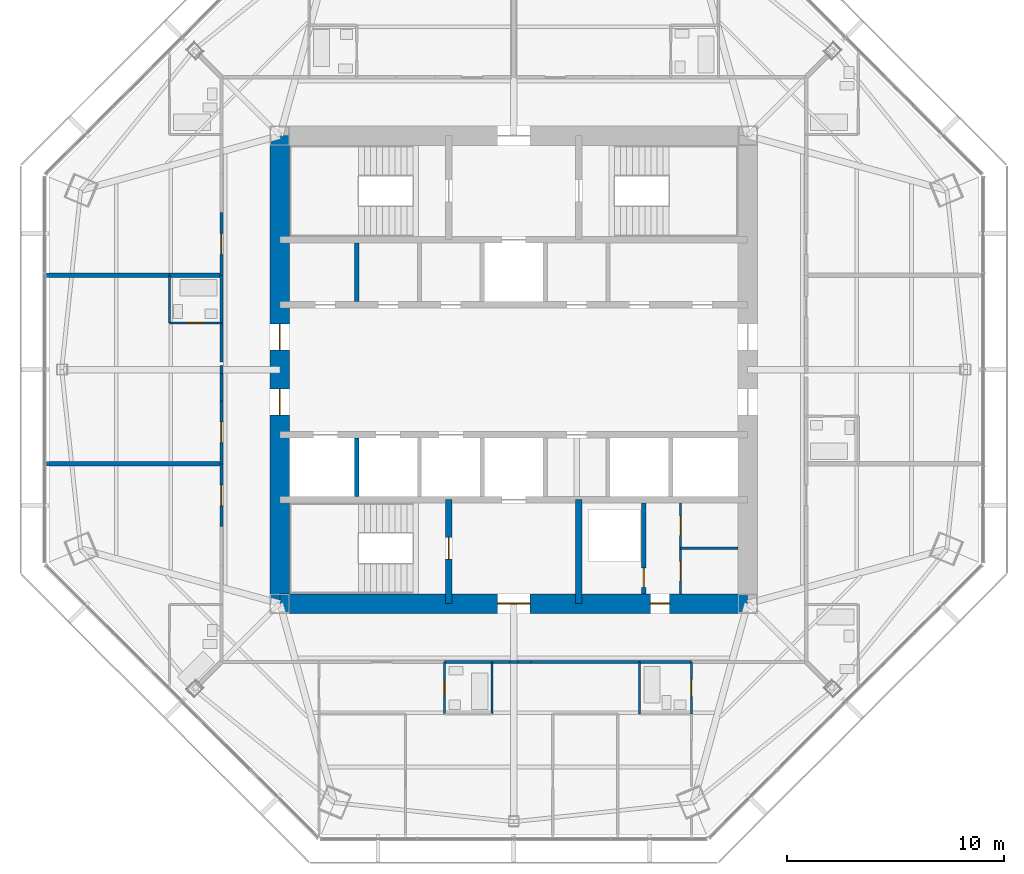
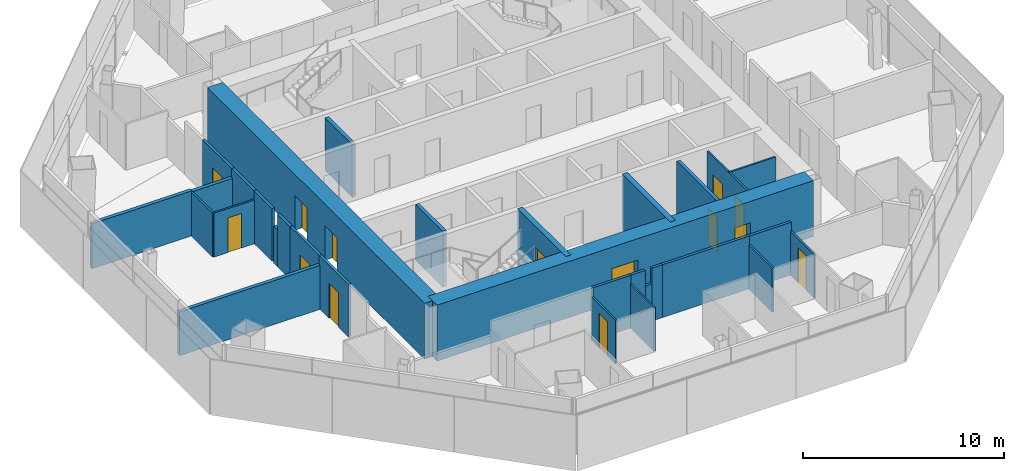
# One storey, part 9 of 15: 31 walls, 14 doors, 14 openings.
"""IFC4 building model written with IfcOpenShell, lengths in metres."""

from ifc_helpers import new_model, si_unit, direction, frame, frame_2d, origin, place, context, subcontext, project, spatial, rectangle, extrude, material, layer, layer_set, type_object, element, fill, save


model = new_model("IFC4")

# Units and contexts
model_context = context("Model", 3, precision=1e-05, world=origin(), true_north=direction((0.0, 1.0)))
body_context = subcontext(model_context, "Body", "Model", "MODEL_VIEW")
ifc_project = project(units=[si_unit("LENGTHUNIT", "METRE"), si_unit("AREAUNIT", "SQUARE_METRE"), si_unit("VOLUMEUNIT", "CUBIC_METRE"), si_unit("PLANEANGLEUNIT", "RADIAN"), si_unit("MASSUNIT", "GRAM", prefix="KILO")], contexts=[model_context])

# Site, building, storey
site_placement = place(None, origin())
site = spatial("IfcSite", under=ifc_project, at=site_placement, CompositionType="ELEMENT")
building_placement = place(site_placement, origin())
building = spatial("IfcBuilding", under=site, at=building_placement, Name="Mashrafa Tower", CompositionType="ELEMENT")
storey_placement = place(building_placement, frame((0.0, 0.0, 224.39990234375)))
storey = spatial("IfcBuildingStorey", under=building, at=storey_placement, Name="L52", CompositionType="ELEMENT", Elevation=224.39990234375)

# Walls
ifc_material_1 = material(Name="Gypsum board on steel studs", Category="steel")
ifc_layer_1 = layer(ifc_material_1, 0.199951171875)
ifc_layer_set_1 = layer_set([ifc_layer_1], Name="Acoustic partition 200 1 hr")
wall_type_1 = type_object("IfcWallType", Name="Acoustic partition 200 1 hr", PredefinedType="PARTITIONING", material=ifc_layer_set_1)
wall_1_placement = place(storey_placement, frame((-15.90087890625, 4.35009765625, 0.0), z_axis=(0.0, 0.0, 1.0), x_axis=(1.0, 0.0, 0.0)))
element("IfcWall", 1, at=wall_1_placement, inside=storey, type_object=wall_type_1, Name="Acoustic wall L52-069", PredefinedType="PARTITIONING", context=body_context, shape_type="SweptSolid", body=[
    extrude(rectangle(XDim=2.40087890625, YDim=0.199951171875, at=frame_2d((1.200439453125, 0.0))), origin(), (0.0, 0.0, 1.0), 2.664306640625),
])
wall_2_placement = place(storey_placement, frame((-21.648681640625, 4.35009765625, 0.0), z_axis=(0.0, 0.0, 1.0), x_axis=(1.0, 0.0, 0.0)))
element("IfcWall", 2, at=wall_2_placement, inside=storey, type_object=wall_type_1, Name="Acoustic wall L52-070", PredefinedType="PARTITIONING", context=body_context, shape_type="SweptSolid", body=[
    extrude(rectangle(XDim=5.749755859375, YDim=0.199951171875, at=frame_2d((2.875, 0.0))), origin(), (0.0, 0.0, 1.0), 2.73046875),
])
wall_3_placement = place(storey_placement, frame((-21.648681640625, -4.35009765625, 0.0), z_axis=(0.0, 0.0, 1.0), x_axis=(1.0, 0.0, 0.0)))
element("IfcWall", 3, at=wall_3_placement, inside=storey, type_object=wall_type_1, Name="Acoustic wall L52-073", PredefinedType="PARTITIONING", context=body_context, shape_type="SweptSolid", body=[
    extrude(rectangle(XDim=8.148681640625, YDim=0.199951171875, at=frame_2d((4.07421875, 0.0))), origin(), (0.0, 0.0, 1.0), 2.664306640625),
])

# Wall, opening, door
ifc_material_2 = material(Name="Concrete masonry unit", Category="masonry")
ifc_layer_2 = layer(ifc_material_2, 0.199951171875)
ifc_layer_set_2 = layer_set([ifc_layer_2], Name="Blockwork wall 200 2 hr")
wall_type_2 = type_object("IfcWallType", Name="Blockwork wall 200 2 hr", PredefinedType="PARTITIONING", material=ifc_layer_set_2)
wall_4_placement = place(storey_placement, frame((6.0, -10.35009765625, 0.0), z_axis=(0.0, 0.0, 1.0), x_axis=(0.0, 1.0, 0.0)))
wall_4 = element("IfcWall", 4, at=wall_4_placement, inside=storey, type_object=wall_type_2, Name="Riser enclosure wall L52", PredefinedType="PARTITIONING", context=body_context, shape_type="SweptSolid", body=[
    extrude(rectangle(XDim=4.2001953125, YDim=0.199951171875, at=frame_2d((2.10009765625, 0.0))), origin(), (0.0, 0.0, 1.0), 3.2001953125),
])
opening_1_placement = place(wall_4_placement, frame((0.300048828125, 0.0, 0.0)))
opening_1 = element("IfcOpeningElement", 5, at=opening_1_placement, cuts=wall_4, Name="Opening 52.036", PredefinedType="OPENING", context=body_context, shape_type="SweptSolid", body=[
    extrude(rectangle(XDim=0.89990234375, YDim=2.10009765625, at=frame_2d((0.449951171875, 1.050048828125))), frame((0.0, 0.10986328125, 0.0), z_axis=(0.0, -1.0, 0.0), x_axis=(1.0, 0.0, 0.0)), (0.0, 0.0, 1.0), 0.219970703125),
])
ifc_material_3 = material(Name="Steel door", Category="steel")
door_type_1 = type_object("IfcDoorType", Name="Service door 900 x 2100 90 min", OperationType="USERDEFINED", PredefinedType="DOOR", material=ifc_material_3)
door_1_placement = place(opening_1_placement, origin())
door_1 = element("IfcDoor", 6, at=door_1_placement, inside=storey, type_object=door_type_1, Name="Riser door L52", OperationType="SINGLE_SWING_LEFT", OverallHeight=2.10009765625, OverallWidth=0.89990234375, PredefinedType="DOOR", context=body_context, shape_type="SweptSolid", body=[
    extrude(rectangle(XDim=0.89990234375, YDim=2.10009765625, at=frame_2d((0.449951171875, 1.050048828125))), frame((0.0, 0.02490234375, 0.0), z_axis=(0.0, -1.0, 0.0), x_axis=(1.0, 0.0, 0.0)), (0.0, 0.0, 1.0), 0.050048828125),
])
fill(opening_1, door_1)

ifc_material_4 = material(Name="Concrete C50/60", Category="concrete")
ifc_layer_3 = layer(ifc_material_4, 0.300048828125)
ifc_layer_set_3 = layer_set([ifc_layer_3], Name="Core wall 300 C50/60")
wall_type_3 = type_object("IfcWallType", Name="Core wall 300 C50/60", PredefinedType="SOLIDWALL", material=ifc_layer_set_3)
wall_5_placement = place(storey_placement, frame((-3.0, -6.0, 0.0), z_axis=(0.0, 0.0, 1.0), x_axis=(0.0, -1.0, 0.0)))
wall_5 = element("IfcWall", 7, at=wall_5_placement, inside=storey, type_object=wall_type_3, Name="Core wall CX-SW L52", PredefinedType="SOLIDWALL", context=body_context, shape_type="SweptSolid", body=[
    extrude(rectangle(XDim=4.800048828125, YDim=0.300048828125, at=frame_2d((2.39990234375, 0.0))), origin(), (0.0, 0.0, 1.0), 3.400146484375),
])
opening_2_placement = place(wall_5_placement, frame((1.75, 0.0, 0.0)))
opening_2 = element("IfcOpeningElement", 8, at=opening_2_placement, cuts=wall_5, Name="Opening 52.034", PredefinedType="OPENING", context=body_context, shape_type="SweptSolid", body=[
    extrude(rectangle(XDim=1.0, YDim=2.10009765625, at=frame_2d((0.5, 1.050048828125))), frame((0.0, 0.159912109375, 0.0), z_axis=(0.0, -1.0, 0.0), x_axis=(1.0, 0.0, 0.0)), (0.0, 0.0, 1.0), 0.320068359375),
])
ifc_material_5 = material(Name="Steel door", Category="steel")
door_type_2 = type_object("IfcDoorType", Name="Stair door 1000 x 2100 90 min", OperationType="USERDEFINED", PredefinedType="DOOR", material=ifc_material_5)
door_2_placement = place(opening_2_placement, frame((1.0, 0.0, 0.0), z_axis=(0.0, 0.0, 1.0), x_axis=(-1.0, 0.0, 0.0)))
door_2 = element("IfcDoor", 9, at=door_2_placement, inside=storey, type_object=door_type_2, Name="Stair S3 door L52", OperationType="SINGLE_SWING_RIGHT", OverallHeight=2.10009765625, OverallWidth=1.0, PredefinedType="DOOR", context=body_context, shape_type="SweptSolid", body=[
    extrude(rectangle(XDim=1.0, YDim=2.10009765625, at=frame_2d((0.5, 1.050048828125))), frame((0.0, 0.02490234375, 0.0), z_axis=(0.0, -1.0, 0.0), x_axis=(1.0, 0.0, 0.0)), (0.0, 0.0, 1.0), 0.050048828125),
])
fill(opening_2, door_2)

# Wall
wall_6_placement = place(storey_placement, frame((3.0, -6.0, 0.0), z_axis=(0.0, 0.0, 1.0), x_axis=(0.0, -1.0, 0.0)))
element("IfcWall", 10, at=wall_6_placement, inside=storey, type_object=wall_type_3, Name="Core wall CX-SE L52", PredefinedType="SOLIDWALL", context=body_context, shape_type="SweptSolid", body=[
    extrude(rectangle(XDim=4.800048828125, YDim=0.300048828125, at=frame_2d((2.39990234375, 0.0))), origin(), (0.0, 0.0, 1.0), 3.400146484375),
])

# Wall, openings, doors
ifc_material_6 = material(Name="Concrete C50/60", Category="concrete")
ifc_layer_4 = layer(ifc_material_6, 0.89990234375)
ifc_layer_set_4 = layer_set([ifc_layer_4], Name="Core wall 900 C50/60")
wall_type_4 = type_object("IfcWallType", Name="Core wall 900 C50/60", PredefinedType="SOLIDWALL", material=ifc_layer_set_4)
wall_7_placement = place(storey_placement, frame((-10.800048828125, -10.800048828125, 0.0), z_axis=(0.0, 0.0, 1.0), x_axis=(1.0, 0.0, 0.0)))
wall_7 = element("IfcWall", 11, at=wall_7_placement, inside=storey, type_object=wall_type_4, Name="Core wall CW-S L52", PredefinedType="SOLIDWALL", context=body_context, shape_type="SweptSolid", body=[
    extrude(rectangle(XDim=21.60009765625, YDim=0.89990234375, at=frame_2d((10.800048828125, 0.0))), origin(), (0.0, 0.0, 1.0), 3.400146484375),
])
opening_3_placement = place(wall_7_placement, frame((10.050048828125, 0.0, 0.0)))
opening_3 = element("IfcOpeningElement", 12, at=opening_3_placement, cuts=wall_7, Name="Opening 52.031", PredefinedType="OPENING", context=body_context, shape_type="SweptSolid", body=[
    extrude(rectangle(XDim=1.5, YDim=2.10009765625, at=frame_2d((0.75, 1.050048828125))), frame((0.0, 0.4599609375, 0.0), z_axis=(0.0, -1.0, 0.0), x_axis=(1.0, 0.0, 0.0)), (0.0, 0.0, 1.0), 0.919921875),
])
opening_4_placement = place(wall_7_placement, frame((17.10009765625, 0.0, 0.0)))
opening_4 = element("IfcOpeningElement", 13, at=opening_4_placement, cuts=wall_7, Name="Opening 52.035", PredefinedType="OPENING", context=body_context, shape_type="SweptSolid", body=[
    extrude(rectangle(XDim=0.89990234375, YDim=2.10009765625, at=frame_2d((0.449951171875, 1.050048828125))), frame((0.0, 0.4599609375, 0.0), z_axis=(0.0, -1.0, 0.0), x_axis=(1.0, 0.0, 0.0)), (0.0, 0.0, 1.0), 0.919921875),
])
ifc_material_7 = material(Name="Steel door", Category="steel")
door_type_3 = type_object("IfcDoorType", Name="Lobby door pair 1500 x 2100 90 min", OperationType="DOUBLE_DOOR_SINGLE_SWING", PredefinedType="DOOR", material=ifc_material_7)
door_3_placement = place(opening_3_placement, origin())
door_3 = element("IfcDoor", 14, at=door_3_placement, inside=storey, type_object=door_type_3, Name="Fire-fighting lobby F2 door L52", OperationType="DOUBLE_DOOR_SINGLE_SWING", OverallHeight=2.10009765625, OverallWidth=1.5, PredefinedType="DOOR", context=body_context, shape_type="SweptSolid", body=[
    extrude(rectangle(XDim=1.5, YDim=2.10009765625, at=frame_2d((0.75, 1.050048828125))), frame((0.0, 0.02490234375, 0.0), z_axis=(0.0, -1.0, 0.0), x_axis=(1.0, 0.0, 0.0)), (0.0, 0.0, 1.0), 0.050048828125),
])
fill(opening_3, door_3)
door_4_placement = place(opening_4_placement, frame((0.89990234375, 0.0, 0.0), z_axis=(0.0, 0.0, 1.0), x_axis=(-1.0, 0.0, 0.0)))
door_4 = element("IfcDoor", 15, at=door_4_placement, inside=storey, type_object=door_type_1, Name="Services Lobby L52 door", OperationType="SINGLE_SWING_LEFT", OverallHeight=2.10009765625, OverallWidth=0.89990234375, PredefinedType="DOOR", context=body_context, shape_type="SweptSolid", body=[
    extrude(rectangle(XDim=0.89990234375, YDim=2.10009765625, at=frame_2d((0.449951171875, 1.050048828125))), frame((0.0, 0.02490234375, 0.0), z_axis=(0.0, -1.0, 0.0), x_axis=(1.0, 0.0, 0.0)), (0.0, 0.0, 1.0), 0.050048828125),
])
fill(opening_4, door_4)

wall_8_placement = place(storey_placement, frame((-10.800048828125, 10.800048828125, 0.0), z_axis=(0.0, 0.0, 1.0), x_axis=(0.0, -1.0, 0.0)))
wall_8 = element("IfcWall", 16, at=wall_8_placement, inside=storey, type_object=wall_type_4, Name="Core wall CW-W L52", PredefinedType="SOLIDWALL", context=body_context, shape_type="SweptSolid", body=[
    extrude(rectangle(XDim=21.60009765625, YDim=0.89990234375, at=frame_2d((10.800048828125, 0.0))), origin(), (0.0, 0.0, 1.0), 3.400146484375),
])
opening_5_placement = place(wall_8_placement, frame((8.699951171875, 0.0, 0.0)))
opening_5 = element("IfcOpeningElement", 17, at=opening_5_placement, cuts=wall_8, Name="Opening 52.027", PredefinedType="OPENING", context=body_context, shape_type="SweptSolid", body=[
    extrude(rectangle(XDim=1.199951171875, YDim=2.10009765625, at=frame_2d((0.60009765625, 1.050048828125))), frame((0.0, 0.4599609375, 0.0), z_axis=(0.0, -1.0, 0.0), x_axis=(1.0, 0.0, 0.0)), (0.0, 0.0, 1.0), 0.919921875),
])
opening_6_placement = place(wall_8_placement, frame((11.699951171875, 0.0, 0.0)))
opening_6 = element("IfcOpeningElement", 18, at=opening_6_placement, cuts=wall_8, Name="Opening 52.029", PredefinedType="OPENING", context=body_context, shape_type="SweptSolid", body=[
    extrude(rectangle(XDim=1.199951171875, YDim=2.10009765625, at=frame_2d((0.60009765625, 1.050048828125))), frame((0.0, 0.4599609375, 0.0), z_axis=(0.0, -1.0, 0.0), x_axis=(1.0, 0.0, 0.0)), (0.0, 0.0, 1.0), 0.919921875),
])
ifc_material_8 = material(Name="Steel door", Category="steel")
door_type_4 = type_object("IfcDoorType", Name="Lift hall door 1200 x 2100 90 min", OperationType="USERDEFINED", PredefinedType="DOOR", material=ifc_material_8)
door_5_placement = place(opening_5_placement, frame((1.199951171875, 0.0, 0.0), z_axis=(0.0, 0.0, 1.0), x_axis=(-1.0, 0.0, 0.0)))
door_5 = element("IfcDoor", 19, at=door_5_placement, inside=storey, type_object=door_type_4, Name="Lift hall door west L52", OperationType="SINGLE_SWING_RIGHT", OverallHeight=2.10009765625, OverallWidth=1.199951171875, PredefinedType="DOOR", context=body_context, shape_type="SweptSolid", body=[
    extrude(rectangle(XDim=1.199951171875, YDim=2.10009765625, at=frame_2d((0.60009765625, 1.050048828125))), frame((0.0, 0.02490234375, 0.0), z_axis=(0.0, -1.0, 0.0), x_axis=(1.0, 0.0, 0.0)), (0.0, 0.0, 1.0), 0.050048828125),
])
fill(opening_5, door_5)
door_6_placement = place(opening_6_placement, frame((1.199951171875, 0.0, 0.0), z_axis=(0.0, 0.0, 1.0), x_axis=(-1.0, 0.0, 0.0)))
door_6 = element("IfcDoor", 20, at=door_6_placement, inside=storey, type_object=door_type_4, Name="Lift hall door west L52", OperationType="SINGLE_SWING_LEFT", OverallHeight=2.10009765625, OverallWidth=1.199951171875, PredefinedType="DOOR", context=body_context, shape_type="SweptSolid", body=[
    extrude(rectangle(XDim=1.199951171875, YDim=2.10009765625, at=frame_2d((0.60009765625, 1.050048828125))), frame((0.0, 0.02490234375, 0.0), z_axis=(0.0, -1.0, 0.0), x_axis=(1.0, 0.0, 0.0)), (0.0, 0.0, 1.0), 0.050048828125),
])
fill(opening_6, door_6)

# Wall, opening, door
ifc_material_9 = material(Name="Gypsum board on steel studs", Category="steel")
ifc_layer_5 = layer(ifc_material_9, 0.14990234375)
ifc_layer_set_5 = layer_set([ifc_layer_5], Name="Corridor partition 150 1 hr")
wall_type_5 = type_object("IfcWallType", Name="Corridor partition 150 1 hr", PredefinedType="PARTITIONING", material=ifc_layer_set_5)
wall_9_placement = place(storey_placement, frame((-13.5, 7.2509765625, 0.0), z_axis=(0.0, 0.0, 1.0), x_axis=(0.0, -1.0, 0.0)))
wall_9 = element("IfcWall", 21, at=wall_9_placement, inside=storey, type_object=wall_type_5, Name="Corridor wall L52-026", PredefinedType="PARTITIONING", context=body_context, shape_type="SweptSolid", body=[
    extrude(rectangle(XDim=2.90185546875, YDim=0.14990234375, at=frame_2d((1.450927734375, 0.0))), origin(), (0.0, 0.0, 1.0), 3.2001953125),
])
opening_7_placement = place(wall_9_placement, frame((0.97607421875, 0.0, 0.0)))
opening_7 = element("IfcOpeningElement", 22, at=opening_7_placement, cuts=wall_9, Name="Opening 52.014", PredefinedType="OPENING", context=body_context, shape_type="SweptSolid", body=[
    extrude(rectangle(XDim=0.949951171875, YDim=2.10009765625, at=frame_2d((0.47509765625, 1.050048828125))), frame((0.0, 0.0849609375, 0.0), z_axis=(0.0, -1.0, 0.0), x_axis=(1.0, 0.0, 0.0)), (0.0, 0.0, 1.0), 0.169921875),
])
ifc_material_10 = material(Name="Steel door", Category="steel")
door_type_5 = type_object("IfcDoorType", Name="Residence entrance door 950 x 2100 20 min", OperationType="USERDEFINED", PredefinedType="DOOR", material=ifc_material_10)
door_7_placement = place(opening_7_placement, frame((0.949951171875, 0.0, 0.0), z_axis=(0.0, 0.0, 1.0), x_axis=(-1.0, 0.0, 0.0)))
door_7 = element("IfcDoor", 23, at=door_7_placement, inside=storey, type_object=door_type_5, Name="Apartment 5206 Studio Living Room door", OperationType="SINGLE_SWING_LEFT", OverallHeight=2.10009765625, OverallWidth=0.949951171875, PredefinedType="DOOR", context=body_context, shape_type="SweptSolid", body=[
    extrude(rectangle(XDim=0.949951171875, YDim=2.10009765625, at=frame_2d((0.47509765625, 1.050048828125))), frame((0.0, 0.02490234375, 0.0), z_axis=(0.0, -1.0, 0.0), x_axis=(1.0, 0.0, 0.0)), (0.0, 0.0, 1.0), 0.050048828125),
])
fill(opening_7, door_7)

# Walls
wall_10_placement = place(storey_placement, frame((-13.5, 4.35107421875, 0.0), z_axis=(0.0, 0.0, 1.0), x_axis=(0.0, -1.0, 0.0)))
element("IfcWall", 24, at=wall_10_placement, inside=storey, type_object=wall_type_5, Name="Corridor wall L52-028", PredefinedType="PARTITIONING", context=body_context, shape_type="SweptSolid", body=[
    extrude(rectangle(XDim=2.2021484375, YDim=0.14990234375, at=frame_2d((1.10107421875, 0.0))), origin(), (0.0, 0.0, 1.0), 3.2001953125),
])
wall_11_placement = place(storey_placement, frame((-13.5, -0.18359375, 0.0), z_axis=(0.0, 0.0, 1.0), x_axis=(0.0, -1.0, 0.0)))
element("IfcWall", 25, at=wall_11_placement, inside=storey, type_object=wall_type_5, Name="Corridor wall L52-029", PredefinedType="PARTITIONING", context=body_context, shape_type="SweptSolid", body=[
    extrude(rectangle(XDim=1.267333984375, YDim=0.14990234375, at=frame_2d((0.6337890625, 0.0))), origin(), (0.0, 0.0, 1.0), 3.2001953125),
])
wall_12_placement = place(storey_placement, frame((-13.5, 0.18359375, 0.0), z_axis=(0.0, 0.0, 1.0), x_axis=(0.0, -1.0, 0.0)))
element("IfcWall", 26, at=wall_12_placement, inside=storey, type_object=wall_type_5, Name="Corridor wall L52-030", PredefinedType="PARTITIONING", context=body_context, shape_type="SweptSolid", body=[
    extrude(rectangle(XDim=0.3671875, YDim=0.14990234375, at=frame_2d((0.18359375, 0.0))), origin(), (0.0, 0.0, 1.0), 2.2529296875),
])

# Wall, opening, door
wall_13_placement = place(storey_placement, frame((-13.5, -1.448974609375, 0.0), z_axis=(0.0, 0.0, 1.0), x_axis=(0.0, -1.0, 0.0)))
wall_13 = element("IfcWall", 27, at=wall_13_placement, inside=storey, type_object=wall_type_5, Name="Corridor wall L52-031", PredefinedType="PARTITIONING", context=body_context, shape_type="SweptSolid", body=[
    extrude(rectangle(XDim=2.902099609375, YDim=0.14990234375, at=frame_2d((1.451171875, 0.0))), origin(), (0.0, 0.0, 1.0), 3.2001953125),
])
opening_8_placement = place(wall_13_placement, frame((0.97607421875, 0.0, 0.0)))
opening_8 = element("IfcOpeningElement", 28, at=opening_8_placement, cuts=wall_13, Name="Opening 52.016", PredefinedType="OPENING", context=body_context, shape_type="SweptSolid", body=[
    extrude(rectangle(XDim=0.949951171875, YDim=2.10009765625, at=frame_2d((0.47509765625, 1.050048828125))), frame((0.0, 0.0849609375, 0.0), z_axis=(0.0, -1.0, 0.0), x_axis=(1.0, 0.0, 0.0)), (0.0, 0.0, 1.0), 0.169921875),
])
door_8_placement = place(opening_8_placement, frame((0.949951171875, 0.0, 0.0), z_axis=(0.0, 0.0, 1.0), x_axis=(-1.0, 0.0, 0.0)))
door_8 = element("IfcDoor", 29, at=door_8_placement, inside=storey, type_object=door_type_5, Name="Apartment 5207 Studio Living Room door", OperationType="SINGLE_SWING_LEFT", OverallHeight=2.10009765625, OverallWidth=0.949951171875, PredefinedType="DOOR", context=body_context, shape_type="SweptSolid", body=[
    extrude(rectangle(XDim=0.949951171875, YDim=2.10009765625, at=frame_2d((0.47509765625, 1.050048828125))), frame((0.0, 0.02490234375, 0.0), z_axis=(0.0, -1.0, 0.0), x_axis=(1.0, 0.0, 0.0)), (0.0, 0.0, 1.0), 0.050048828125),
])
fill(opening_8, door_8)

# Wall
wall_14_placement = place(storey_placement, frame((-13.5, 2.15087890625, 0.0), z_axis=(0.0, 0.0, 1.0), x_axis=(0.0, -1.0, 0.0)))
element("IfcWall", 30, at=wall_14_placement, inside=storey, type_object=wall_type_5, Name="Corridor wall L52-032", PredefinedType="PARTITIONING", context=body_context, shape_type="SweptSolid", body=[
    extrude(rectangle(XDim=1.8017578125, YDim=0.14990234375, at=frame_2d((0.90087890625, 0.0))), origin(), (0.0, 0.0, 1.0), 3.2001953125),
])

# Wall, opening, door
wall_15_placement = place(storey_placement, frame((-13.5, -4.34912109375, 0.0), z_axis=(0.0, 0.0, 1.0), x_axis=(0.0, -1.0, 0.0)))
wall_15 = element("IfcWall", 31, at=wall_15_placement, inside=storey, type_object=wall_type_5, Name="Corridor wall L52-036", PredefinedType="PARTITIONING", context=body_context, shape_type="SweptSolid", body=[
    extrude(rectangle(XDim=2.90185546875, YDim=0.14990234375, at=frame_2d((1.450927734375, 0.0))), origin(), (0.0, 0.0, 1.0), 3.2001953125),
])
opening_9_placement = place(wall_15_placement, frame((0.97607421875, 0.0, 0.0)))
opening_9 = element("IfcOpeningElement", 32, at=opening_9_placement, cuts=wall_15, Name="Opening 52.018", PredefinedType="OPENING", context=body_context, shape_type="SweptSolid", body=[
    extrude(rectangle(XDim=0.949951171875, YDim=2.10009765625, at=frame_2d((0.47509765625, 1.050048828125))), frame((0.0, 0.0849609375, 0.0), z_axis=(0.0, -1.0, 0.0), x_axis=(1.0, 0.0, 0.0)), (0.0, 0.0, 1.0), 0.169921875),
])
door_9_placement = place(opening_9_placement, frame((0.949951171875, 0.0, 0.0), z_axis=(0.0, 0.0, 1.0), x_axis=(-1.0, 0.0, 0.0)))
door_9 = element("IfcDoor", 33, at=door_9_placement, inside=storey, type_object=door_type_5, Name="Apartment 5208 Studio Living Room door", OperationType="SINGLE_SWING_RIGHT", OverallHeight=2.10009765625, OverallWidth=0.949951171875, PredefinedType="DOOR", context=body_context, shape_type="SweptSolid", body=[
    extrude(rectangle(XDim=0.949951171875, YDim=2.10009765625, at=frame_2d((0.47509765625, 1.050048828125))), frame((0.0, 0.02490234375, 0.0), z_axis=(0.0, -1.0, 0.0), x_axis=(1.0, 0.0, 0.0)), (0.0, 0.0, 1.0), 0.050048828125),
])
fill(opening_9, door_9)

# Walls
wall_16_placement = place(storey_placement, frame((-3.200927734375, -13.5, 0.0), z_axis=(0.0, 0.0, 1.0), x_axis=(1.0, 0.0, 0.0)))
element("IfcWall", 34, at=wall_16_placement, inside=storey, type_object=wall_type_5, Name="Corridor wall L52-038", PredefinedType="PARTITIONING", context=body_context, shape_type="SweptSolid", body=[
    extrude(rectangle(XDim=2.201904296875, YDim=0.14990234375, at=frame_2d((1.10107421875, 0.0))), origin(), (0.0, 0.0, 1.0), 3.2001953125),
])
wall_17_placement = place(storey_placement, frame((-1.0009765625, -13.5, 0.0), z_axis=(0.0, 0.0, 1.0), x_axis=(1.0, 0.0, 0.0)))
element("IfcWall", 35, at=wall_17_placement, inside=storey, type_object=wall_type_5, Name="Corridor wall L52-039", PredefinedType="PARTITIONING", context=body_context, shape_type="SweptSolid", body=[
    extrude(rectangle(XDim=0.8173828125, YDim=0.14990234375, at=frame_2d((0.40869140625, 0.0))), origin(), (0.0, 0.0, 1.0), 3.2001953125),
])
wall_18_placement = place(storey_placement, frame((0.18359375, -13.5, 0.0), z_axis=(0.0, 0.0, 1.0), x_axis=(1.0, 0.0, 0.0)))
element("IfcWall", 36, at=wall_18_placement, inside=storey, type_object=wall_type_5, Name="Corridor wall L52-040", PredefinedType="PARTITIONING", context=body_context, shape_type="SweptSolid", body=[
    extrude(rectangle(XDim=0.617431640625, YDim=0.14990234375, at=frame_2d((0.30859375, 0.0))), origin(), (0.0, 0.0, 1.0), 3.2001953125),
])
wall_19_placement = place(storey_placement, frame((-0.18359375, -13.5, 0.0), z_axis=(0.0, 0.0, 1.0), x_axis=(1.0, 0.0, 0.0)))
element("IfcWall", 37, at=wall_19_placement, inside=storey, type_object=wall_type_5, Name="Corridor wall L52-041", PredefinedType="PARTITIONING", context=body_context, shape_type="SweptSolid", body=[
    extrude(rectangle(XDim=0.3671875, YDim=0.14990234375, at=frame_2d((0.18359375, 0.0))), origin(), (0.0, 0.0, 1.0), 2.2529296875),
])
wall_20_placement = place(storey_placement, frame((5.799072265625, -13.5, 0.0), z_axis=(0.0, 0.0, 1.0), x_axis=(1.0, 0.0, 0.0)))
element("IfcWall", 38, at=wall_20_placement, inside=storey, type_object=wall_type_5, Name="Corridor wall L52-042", PredefinedType="PARTITIONING", context=body_context, shape_type="SweptSolid", body=[
    extrude(rectangle(XDim=2.40185546875, YDim=0.14990234375, at=frame_2d((1.200927734375, 0.0))), origin(), (0.0, 0.0, 1.0), 3.2001953125),
])
wall_21_placement = place(storey_placement, frame((0.799072265625, -13.5, 0.0), z_axis=(0.0, 0.0, 1.0), x_axis=(1.0, 0.0, 0.0)))
element("IfcWall", 39, at=wall_21_placement, inside=storey, type_object=wall_type_5, Name="Corridor wall L52-045", PredefinedType="PARTITIONING", context=body_context, shape_type="SweptSolid", body=[
    extrude(rectangle(XDim=5.001953125, YDim=0.14990234375, at=frame_2d((2.5009765625, 0.0))), origin(), (0.0, 0.0, 1.0), 3.2001953125),
])
ifc_material_11 = material(Name="Gypsum board on steel studs", Category="steel")
ifc_layer_6 = layer(ifc_material_11, 0.10009765625)
ifc_layer_set_6 = layer_set([ifc_layer_6], Name="Partition 100")
wall_type_6 = type_object("IfcWallType", Name="Partition 100", PredefinedType="PARTITIONING", material=ifc_layer_set_6)
wall_22_placement = place(storey_placement, frame((-15.89990234375, 4.35009765625, 0.0), z_axis=(0.0, 0.0, 1.0), x_axis=(0.0, -1.0, 0.0)))
element("IfcWall", 40, at=wall_22_placement, inside=storey, type_object=wall_type_6, Name="Partition wall L52-071", PredefinedType="PARTITIONING", context=body_context, shape_type="SweptSolid", body=[
    extrude(rectangle(XDim=2.2001953125, YDim=0.10009765625, at=frame_2d((1.10009765625, 0.0))), origin(), (0.0, 0.0, 1.0), 2.664306640625),
])

# Wall, opening, door
wall_23_placement = place(storey_placement, frame((-15.89990234375, 2.14990234375, 0.0), z_axis=(0.0, 0.0, 1.0), x_axis=(1.0, 0.0, 0.0)))
wall_23 = element("IfcWall", 41, at=wall_23_placement, inside=storey, type_object=wall_type_6, Name="Partition wall L52-072", PredefinedType="PARTITIONING", context=body_context, shape_type="SweptSolid", body=[
    extrude(rectangle(XDim=2.39990234375, YDim=0.10009765625, at=frame_2d((1.199951171875, 0.0))), origin(), (0.0, 0.0, 1.0), 2.664306640625),
])
opening_10_placement = place(wall_23_placement, frame((0.800048828125, 0.0, 0.0)))
opening_10 = element("IfcOpeningElement", 42, at=opening_10_placement, cuts=wall_23, Name="Opening 52.015", PredefinedType="OPENING", context=body_context, shape_type="SweptSolid", body=[
    extrude(rectangle(XDim=0.800048828125, YDim=2.10009765625, at=frame_2d((0.39990234375, 1.050048828125))), frame((0.0, 0.06005859375, 0.0), z_axis=(0.0, -1.0, 0.0), x_axis=(1.0, 0.0, 0.0)), (0.0, 0.0, 1.0), 0.1201171875),
])
ifc_material_12 = material(Name="Timber door", Category="wood")
door_type_6 = type_object("IfcDoorType", Name="Bathroom door 800 x 2100", OperationType="USERDEFINED", PredefinedType="DOOR", material=ifc_material_12)
door_10_placement = place(opening_10_placement, origin())
door_10 = element("IfcDoor", 43, at=door_10_placement, inside=storey, type_object=door_type_6, Name="Apartment 5207 Bathroom door", OperationType="SINGLE_SWING_LEFT", OverallHeight=2.10009765625, OverallWidth=0.800048828125, PredefinedType="DOOR", context=body_context, shape_type="SweptSolid", body=[
    extrude(rectangle(XDim=0.800048828125, YDim=2.10009765625, at=frame_2d((0.39990234375, 1.050048828125))), frame((0.0, 0.02490234375, 0.0), z_axis=(0.0, -1.0, 0.0), x_axis=(1.0, 0.0, 0.0)), (0.0, 0.0, 1.0), 0.050048828125),
])
fill(opening_10, door_10)

# Wall
wall_24_placement = place(storey_placement, frame((-1.0, -15.89990234375, 0.0), z_axis=(0.0, 0.0, 1.0), x_axis=(0.0, 1.0, 0.0)))
element("IfcWall", 44, at=wall_24_placement, inside=storey, type_object=wall_type_6, Name="Partition wall L52-082", PredefinedType="PARTITIONING", context=body_context, shape_type="SweptSolid", body=[
    extrude(rectangle(XDim=2.39990234375, YDim=0.10009765625, at=frame_2d((1.199951171875, 0.0))), origin(), (0.0, 0.0, 1.0), 2.664306640625),
])

# Wall, opening, door
wall_25_placement = place(storey_placement, frame((-3.199951171875, -13.5, 0.0), z_axis=(0.0, 0.0, 1.0), x_axis=(0.0, -1.0, 0.0)))
wall_25 = element("IfcWall", 45, at=wall_25_placement, inside=storey, type_object=wall_type_6, Name="Partition wall L52-083", PredefinedType="PARTITIONING", context=body_context, shape_type="SweptSolid", body=[
    extrude(rectangle(XDim=2.39990234375, YDim=0.10009765625, at=frame_2d((1.199951171875, 0.0))), origin(), (0.0, 0.0, 1.0), 2.664306640625),
])
opening_11_placement = place(wall_25_placement, frame((0.800048828125, 0.0, 0.0)))
opening_11 = element("IfcOpeningElement", 46, at=opening_11_placement, cuts=wall_25, Name="Opening 52.021", PredefinedType="OPENING", context=body_context, shape_type="SweptSolid", body=[
    extrude(rectangle(XDim=0.800048828125, YDim=2.10009765625, at=frame_2d((0.39990234375, 1.050048828125))), frame((0.0, 0.06005859375, 0.0), z_axis=(0.0, -1.0, 0.0), x_axis=(1.0, 0.0, 0.0)), (0.0, 0.0, 1.0), 0.1201171875),
])
door_11_placement = place(opening_11_placement, origin())
door_11 = element("IfcDoor", 47, at=door_11_placement, inside=storey, type_object=door_type_6, Name="Apartment 5209 Bathroom door", OperationType="SINGLE_SWING_RIGHT", OverallHeight=2.10009765625, OverallWidth=0.800048828125, PredefinedType="DOOR", context=body_context, shape_type="SweptSolid", body=[
    extrude(rectangle(XDim=0.800048828125, YDim=2.10009765625, at=frame_2d((0.39990234375, 1.050048828125))), frame((0.0, 0.02490234375, 0.0), z_axis=(0.0, -1.0, 0.0), x_axis=(1.0, 0.0, 0.0)), (0.0, 0.0, 1.0), 0.050048828125),
])
fill(opening_11, door_11)

wall_26_placement = place(storey_placement, frame((8.199951171875, -15.89990234375, 0.0), z_axis=(0.0, 0.0, 1.0), x_axis=(0.0, 1.0, 0.0)))
wall_26 = element("IfcWall", 48, at=wall_26_placement, inside=storey, type_object=wall_type_6, Name="Partition wall L52-085", PredefinedType="PARTITIONING", context=body_context, shape_type="SweptSolid", body=[
    extrude(rectangle(XDim=2.39990234375, YDim=0.10009765625, at=frame_2d((1.199951171875, 0.0))), origin(), (0.0, 0.0, 1.0), 2.664306640625),
])
opening_12_placement = place(wall_26_placement, frame((0.800048828125, 0.0, 0.0)))
opening_12 = element("IfcOpeningElement", 49, at=opening_12_placement, cuts=wall_26, Name="Opening 52.022", PredefinedType="OPENING", context=body_context, shape_type="SweptSolid", body=[
    extrude(rectangle(XDim=0.800048828125, YDim=2.10009765625, at=frame_2d((0.39990234375, 1.050048828125))), frame((0.0, 0.06005859375, 0.0), z_axis=(0.0, -1.0, 0.0), x_axis=(1.0, 0.0, 0.0)), (0.0, 0.0, 1.0), 0.1201171875),
])
door_12_placement = place(opening_12_placement, origin())
door_12 = element("IfcDoor", 50, at=door_12_placement, inside=storey, type_object=door_type_6, Name="Apartment 5209 En-suite Bathroom door", OperationType="SINGLE_SWING_LEFT", OverallHeight=2.10009765625, OverallWidth=0.800048828125, PredefinedType="DOOR", context=body_context, shape_type="SweptSolid", body=[
    extrude(rectangle(XDim=0.800048828125, YDim=2.10009765625, at=frame_2d((0.39990234375, 1.050048828125))), frame((0.0, 0.02490234375, 0.0), z_axis=(0.0, -1.0, 0.0), x_axis=(1.0, 0.0, 0.0)), (0.0, 0.0, 1.0), 0.050048828125),
])
fill(opening_12, door_12)

# Wall
wall_27_placement = place(storey_placement, frame((5.800048828125, -13.5, 0.0), z_axis=(0.0, 0.0, 1.0), x_axis=(0.0, -1.0, 0.0)))
element("IfcWall", 51, at=wall_27_placement, inside=storey, type_object=wall_type_6, Name="Partition wall L52-086", PredefinedType="PARTITIONING", context=body_context, shape_type="SweptSolid", body=[
    extrude(rectangle(XDim=2.39990234375, YDim=0.10009765625, at=frame_2d((1.199951171875, 0.0))), origin(), (0.0, 0.0, 1.0), 2.664306640625),
])

# Wall, openings, doors
ifc_material_13 = material(Name="Gypsum board on steel studs", Category="steel")
ifc_layer_7 = layer(ifc_material_13, 0.10009765625)
ifc_layer_set_7 = layer_set([ifc_layer_7], Name="Partition 100 1 hr")
wall_type_7 = type_object("IfcWallType", Name="Partition 100 1 hr", PredefinedType="PARTITIONING", material=ifc_layer_set_7)
wall_28_placement = place(storey_placement, frame((7.699951171875, -10.35009765625, 0.0), z_axis=(0.0, 0.0, 1.0), x_axis=(0.0, 1.0, 0.0)))
wall_28 = element("IfcWall", 52, at=wall_28_placement, inside=storey, type_object=wall_type_7, Name="Services lobby partition A L52", PredefinedType="PARTITIONING", context=body_context, shape_type="SweptSolid", body=[
    extrude(rectangle(XDim=4.2001953125, YDim=0.10009765625, at=frame_2d((2.10009765625, 0.0))), origin(), (0.0, 0.0, 1.0), 3.2001953125),
])
opening_13_placement = place(wall_28_placement, frame((2.699951171875, 0.0, 0.0)))
opening_13 = element("IfcOpeningElement", 53, at=opening_13_placement, cuts=wall_28, Name="Opening 52.037", PredefinedType="OPENING", context=body_context, shape_type="SweptSolid", body=[
    extrude(rectangle(XDim=0.89990234375, YDim=2.10009765625, at=frame_2d((0.449951171875, 1.050048828125))), frame((0.0, 0.06005859375, 0.0), z_axis=(0.0, -1.0, 0.0), x_axis=(1.0, 0.0, 0.0)), (0.0, 0.0, 1.0), 0.1201171875),
])
opening_14_placement = place(wall_28_placement, frame((0.60009765625, 0.0, 0.0)))
opening_14 = element("IfcOpeningElement", 54, at=opening_14_placement, cuts=wall_28, Name="Opening 52.038", PredefinedType="OPENING", context=body_context, shape_type="SweptSolid", body=[
    extrude(rectangle(XDim=0.89990234375, YDim=2.10009765625, at=frame_2d((0.449951171875, 1.050048828125))), frame((0.0, 0.06005859375, 0.0), z_axis=(0.0, -1.0, 0.0), x_axis=(1.0, 0.0, 0.0)), (0.0, 0.0, 1.0), 0.1201171875),
])
ifc_material_14 = material(Name="Timber door", Category="wood")
door_type_7 = type_object("IfcDoorType", Name="Store door 900 x 2100", OperationType="USERDEFINED", PredefinedType="DOOR", material=ifc_material_14)
door_13_placement = place(opening_13_placement, frame((0.89990234375, 0.0, 0.0), z_axis=(0.0, 0.0, 1.0), x_axis=(-1.0, 0.0, 0.0)))
door_13 = element("IfcDoor", 55, at=door_13_placement, inside=storey, type_object=door_type_7, Name="Communications Room L52 door", OperationType="SINGLE_SWING_RIGHT", OverallHeight=2.10009765625, OverallWidth=0.89990234375, PredefinedType="DOOR", context=body_context, shape_type="SweptSolid", body=[
    extrude(rectangle(XDim=0.89990234375, YDim=2.10009765625, at=frame_2d((0.449951171875, 1.050048828125))), frame((0.0, 0.02490234375, 0.0), z_axis=(0.0, -1.0, 0.0), x_axis=(1.0, 0.0, 0.0)), (0.0, 0.0, 1.0), 0.050048828125),
])
fill(opening_13, door_13)
door_14_placement = place(opening_14_placement, frame((0.89990234375, 0.0, 0.0), z_axis=(0.0, 0.0, 1.0), x_axis=(-1.0, 0.0, 0.0)))
door_14 = element("IfcDoor", 56, at=door_14_placement, inside=storey, type_object=door_type_7, Name="Building Services Store L52 door", OperationType="SINGLE_SWING_LEFT", OverallHeight=2.10009765625, OverallWidth=0.89990234375, PredefinedType="DOOR", context=body_context, shape_type="SweptSolid", body=[
    extrude(rectangle(XDim=0.89990234375, YDim=2.10009765625, at=frame_2d((0.449951171875, 1.050048828125))), frame((0.0, 0.02490234375, 0.0), z_axis=(0.0, -1.0, 0.0), x_axis=(1.0, 0.0, 0.0)), (0.0, 0.0, 1.0), 0.050048828125),
])
fill(opening_14, door_14)

# Walls
wall_29_placement = place(storey_placement, frame((7.699951171875, -8.25, 0.0), z_axis=(0.0, 0.0, 1.0), x_axis=(1.0, 0.0, 0.0)))
element("IfcWall", 57, at=wall_29_placement, inside=storey, type_object=wall_type_7, Name="Services lobby partition B L52", PredefinedType="PARTITIONING", context=body_context, shape_type="SweptSolid", body=[
    extrude(rectangle(XDim=2.650146484375, YDim=0.10009765625, at=frame_2d((1.3251953125, 0.0))), origin(), (0.0, 0.0, 1.0), 3.2001953125),
])
ifc_material_15 = material(Name="Gypsum shaft wall on steel studs", Category="steel")
ifc_layer_8 = layer(ifc_material_15, 0.199951171875)
ifc_layer_set_8 = layer_set([ifc_layer_8], Name="Shaft divider wall 200 2 hr")
wall_type_8 = type_object("IfcWallType", Name="Shaft divider wall 200 2 hr", PredefinedType="PARTITIONING", material=ifc_layer_set_8)
wall_30_placement = place(storey_placement, frame((-7.25, 3.14990234375, 0.0), z_axis=(0.0, 0.0, 1.0), x_axis=(0.0, 1.0, 0.0)))
element("IfcWall", 58, at=wall_30_placement, inside=storey, type_object=wall_type_8, Name="Shaft divider wall N1 L52", PredefinedType="PARTITIONING", context=body_context, shape_type="SweptSolid", body=[
    extrude(rectangle(XDim=2.7001953125, YDim=0.199951171875, at=frame_2d((1.35009765625, 0.0))), origin(), (0.0, 0.0, 1.0), 3.2001953125),
])
wall_31_placement = place(storey_placement, frame((-7.25, -5.85009765625, 0.0), z_axis=(0.0, 0.0, 1.0), x_axis=(0.0, 1.0, 0.0)))
element("IfcWall", 59, at=wall_31_placement, inside=storey, type_object=wall_type_8, Name="Shaft divider wall S1 L52", PredefinedType="PARTITIONING", context=body_context, shape_type="SweptSolid", body=[
    extrude(rectangle(XDim=2.7001953125, YDim=0.199951171875, at=frame_2d((1.35009765625, 0.0))), origin(), (0.0, 0.0, 1.0), 3.400146484375),
])

save(model, "model.ifc")
